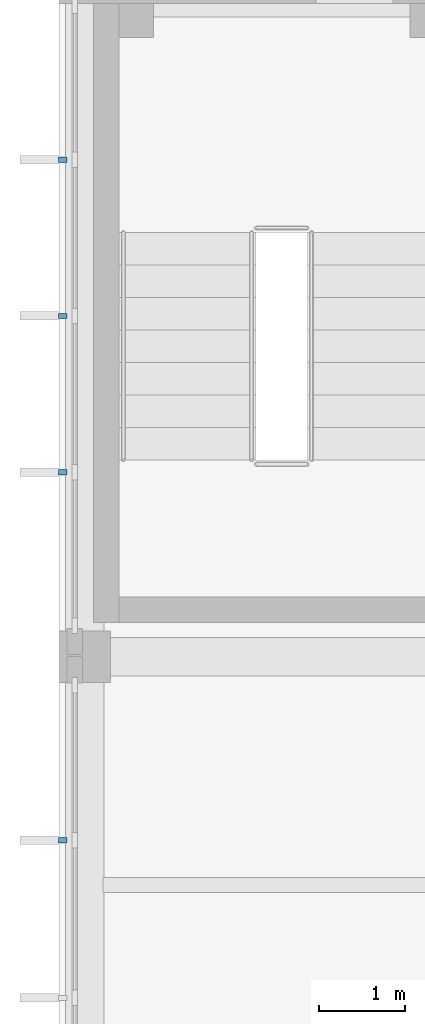
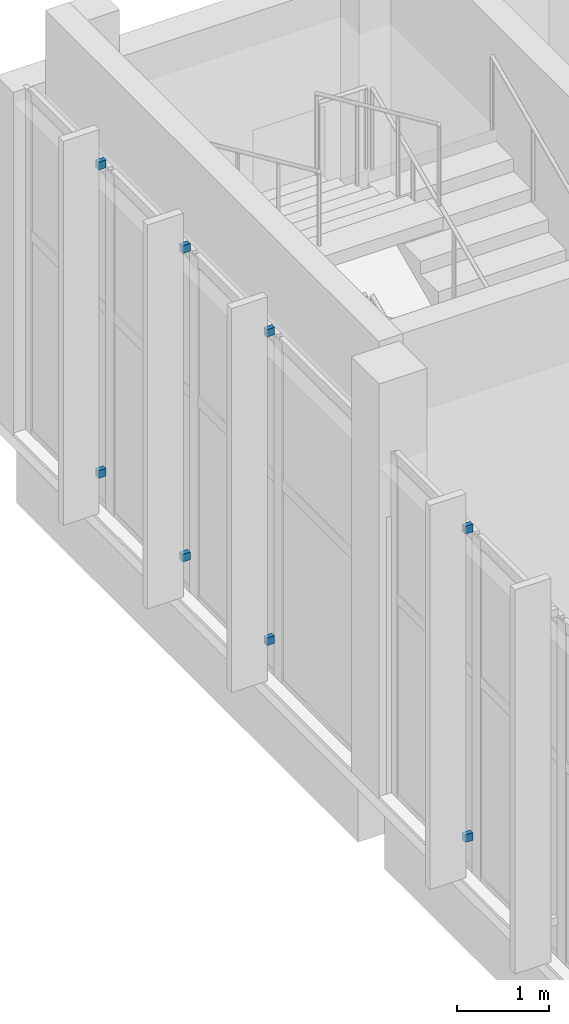
# One storey, part 73 of 112: 8 discrete accessories.
"""IFC4 building model written with IfcOpenShell, lengths in metres."""

from ifc_helpers import new_model, si_unit, direction, frame, origin, origin_2d, place, context, subcontext, project, spatial, rectangle, extrude, material, type_object, element, save


model = new_model("IFC4")

# Units and contexts
model_context = context("Model", 3, precision=1e-05, world=origin(), true_north=direction((0.0, 1.0)))
body_context = subcontext(model_context, "Body", "Model", "MODEL_VIEW")
ifc_project = project(units=[si_unit("LENGTHUNIT", "METRE"), si_unit("AREAUNIT", "SQUARE_METRE"), si_unit("VOLUMEUNIT", "CUBIC_METRE"), si_unit("PLANEANGLEUNIT", "RADIAN"), si_unit("MASSUNIT", "GRAM", prefix="KILO")], contexts=[model_context])

# Site, building, storey
site_placement = place(None, origin())
site = spatial("IfcSite", under=ifc_project, at=site_placement, CompositionType="ELEMENT")
building_placement = place(site_placement, origin())
building = spatial("IfcBuilding", under=site, at=building_placement, Name="Lunette Opera House", CompositionType="ELEMENT")
storey_placement = place(building_placement, frame((0.0, 0.0, 6.0)))
storey = spatial("IfcBuildingStorey", under=building, at=storey_placement, Name="L01", CompositionType="ELEMENT", Elevation=6.0)

# Discrete accessories
ifc_material = material(Name="Galvanised steel", Category="steel")
discrete_accessory_type = type_object("IfcDiscreteAccessoryType", Name="FIN BRACKET STEEL", PredefinedType="BRACKET", material=ifc_material)
for number, where, z_axis, x_axis, name in (
    (1, (8.0419921875, 109.80908203125, 0.56494140625), (0.0, 0.0, 1.0), (-1.0, 0.0, 0.0), "Fin bracket RW-X2015 1 1"),
    (2, (8.0419921875, 109.80908203125, 4.64990234375), (0.0, 0.0, 1.0), (-1.0, 0.0, 0.0), "Fin bracket RW-X2015 1 2"),
    (3, (8.0419921875, 107.98291015625, 0.56494140625), (0.0, 0.0, 1.0), (-1.0, 0.0, 0.0), "Fin bracket RW-X2015 2 1"),
    (4, (8.0419921875, 107.98291015625, 4.64990234375), (0.0, 0.0, 1.0), (-1.0, 0.0, 0.0), "Fin bracket RW-X2015 2 2"),
    (5, (8.0419921875, 106.156005859375, 0.56494140625), (0.0, 0.0, 1.0), (-1.0, 0.0, 0.0), "Fin bracket RW-X2015 3 1"),
    (6, (8.0419921875, 106.156005859375, 4.64990234375), (0.0, 0.0, 1.0), (-1.0, 0.0, 0.0), "Fin bracket RW-X2015 3 2"),
    (7, (8.0419921875, 101.85498046875, 0.56494140625), (0.0, 0.0, 1.0), (-1.0, 0.0, 0.0), "Fin bracket RW-X2016 1 1"),
    (8, (8.0419921875, 101.85498046875, 4.64990234375), (0.0, 0.0, 1.0), (-1.0, 0.0, 0.0), "Fin bracket RW-X2016 1 2"),
):
    element("IfcDiscreteAccessory", number, at=place(storey_placement, frame(where, z_axis=z_axis, x_axis=x_axis)), inside=storey, type_object=discrete_accessory_type, Name=name, PredefinedType="BRACKET", context=body_context, shape_type="SweptSolid", body=[
        extrude(rectangle(XDim=0.10009765625, YDim=0.06005859375, at=origin_2d()), origin(), (0.0, 0.0, 1.0), 0.10009765625),
    ])

save(model, "model.ifc")
